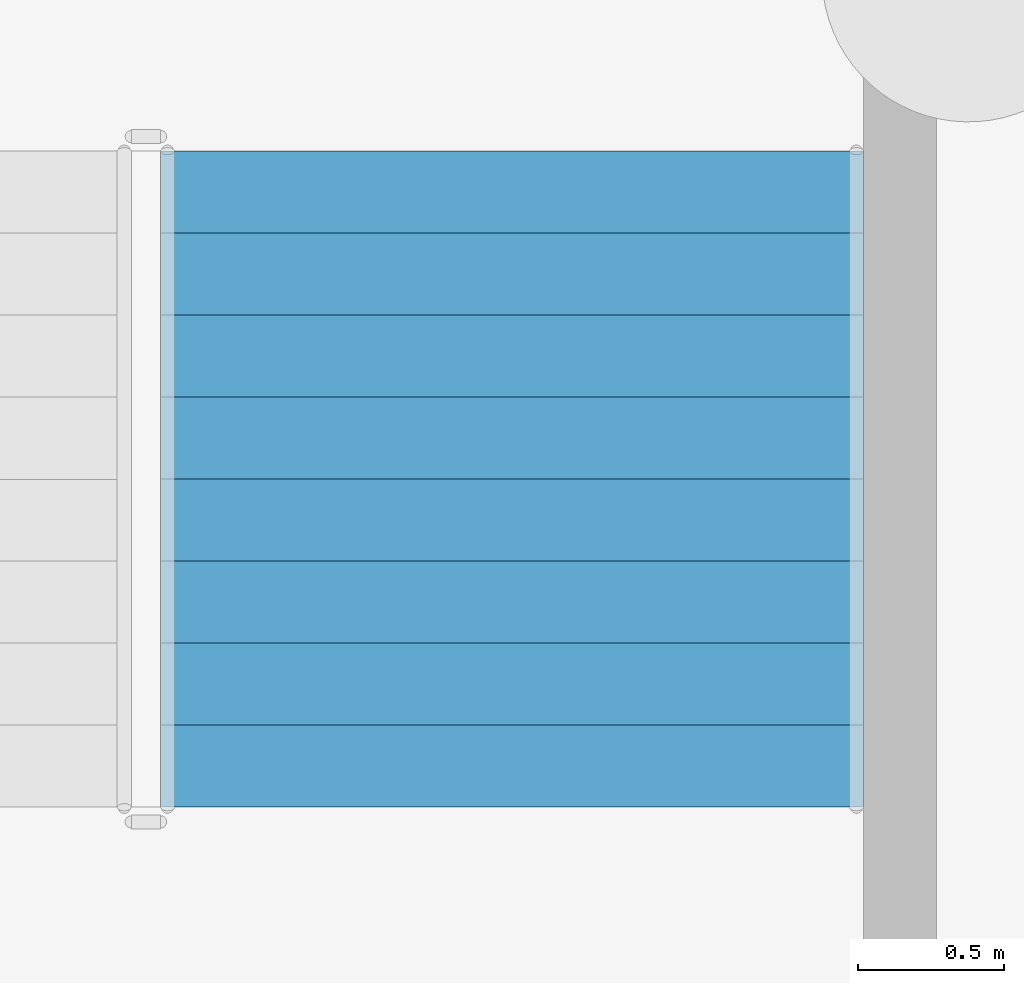
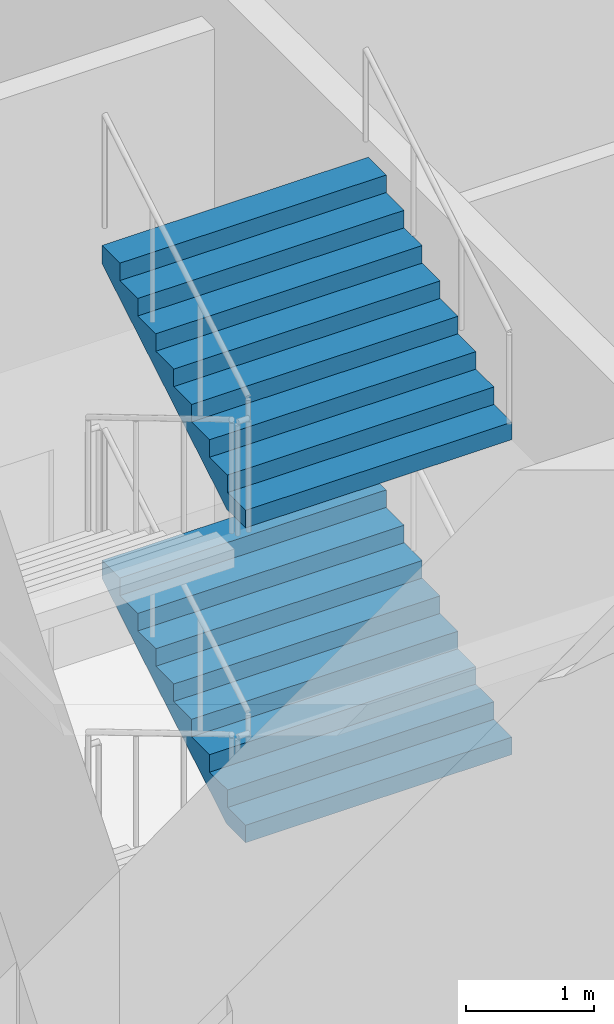
# One storey, part 14 of 39: 2 stair flights, 1 element without a shape of its own.
"""IFC4 building model written with IfcOpenShell, lengths in metres."""

from ifc_helpers import new_model, si_unit, direction, frame, origin, place, context, subcontext, project, spatial, triangles, material, type_object, element, aggregate, save


model = new_model("IFC4")

# Units and contexts
model_context = context("Model", 3, precision=1e-05, world=origin(), true_north=direction((0.0, 1.0)))
body_context = subcontext(model_context, "Body", "Model", "MODEL_VIEW")
ifc_project = project(units=[si_unit("LENGTHUNIT", "METRE"), si_unit("AREAUNIT", "SQUARE_METRE"), si_unit("VOLUMEUNIT", "CUBIC_METRE"), si_unit("PLANEANGLEUNIT", "RADIAN"), si_unit("MASSUNIT", "GRAM", prefix="KILO")], contexts=[model_context])

# Site, building, storey
site_placement = place(None, origin())
site = spatial("IfcSite", under=ifc_project, at=site_placement, CompositionType="ELEMENT")
building_placement = place(site_placement, origin())
building = spatial("IfcBuilding", under=site, at=building_placement, Name="Magnolia Steps Interchange", CompositionType="ELEMENT")
storey_placement = place(building_placement, frame((0.0, 0.0, -11.39990234375)))
storey = spatial("IfcBuildingStorey", under=building, at=storey_placement, Name="B2", CompositionType="ELEMENT", Elevation=-11.39990234375)

# Stair, stair flights
ifc_material_1 = material(Name="Concrete C40", Category="concrete")
stair_type = type_object("IfcStairType", Name="Exit stair 2400", PredefinedType="HALF_TURN_STAIR", material=ifc_material_1)
stair_placement = place(storey_placement, origin())
stair = element("IfcStair", 1, at=stair_placement, inside=storey, type_object=stair_type, Name="B2 Stair 15", PredefinedType="HALF_TURN_STAIR")
ifc_material_2 = material(Name="Concrete C40", Category="concrete")
stair_flight_type = type_object("IfcStairFlightType", Name="Exit stair flight", PredefinedType="STRAIGHT", material=ifc_material_2)
stair_flight_1_placement = place(storey_placement, frame((24.875, 55.885009765625, 1.5), z_axis=(0.0, 0.0, 1.0), x_axis=(0.0, 1.0, 0.0)))
stair_flight_1 = element("IfcStairFlight", 2, at=stair_flight_1_placement, type_object=stair_flight_type, Name="Stair 15 flight 2", NumberOfRisers=9, NumberOfTreads=8, PredefinedType="STRAIGHT", RiserHeight=0.166666667, TreadLength=0.28, context=body_context, shape_type="Tessellation", body=[
    triangles([(0.0, -1.199951171875, 0.0), (0.29296875, -1.199951171875, 0.0), (2.239990234375, -1.199951171875, 1.158935546875), (2.239990234375, -1.199951171875, 1.333251953125), (1.9599609375, -1.199951171875, 1.333251953125), (1.9599609375, -1.199951171875, 1.166748046875), (1.679931640625, -1.199951171875, 1.166748046875), (1.679931640625, -1.199951171875, 1.0), (1.39990234375, -1.199951171875, 1.0), (1.39990234375, -1.199951171875, 0.833251953125), (1.1201171875, -1.199951171875, 0.833251953125), (1.1201171875, -1.199951171875, 0.666748046875), (0.840087890625, -1.199951171875, 0.666748046875), (0.840087890625, -1.199951171875, 0.5), (0.56005859375, -1.199951171875, 0.5), (0.56005859375, -1.199951171875, 0.333251953125), (0.280029296875, -1.199951171875, 0.333251953125), (0.280029296875, -1.199951171875, 0.166748046875), (0.0, -1.199951171875, 0.166748046875), (0.0, 1.199951171875, 0.0), (0.29296875, 1.199951171875, 0.0), (2.239990234375, 1.199951171875, 1.158935546875), (2.239990234375, 1.199951171875, 1.333251953125), (1.9599609375, 1.199951171875, 1.333251953125), (1.9599609375, 1.199951171875, 1.166748046875), (1.679931640625, 1.199951171875, 1.166748046875), (1.679931640625, 1.199951171875, 1.0), (1.39990234375, 1.199951171875, 1.0), (1.39990234375, 1.199951171875, 0.833251953125), (1.1201171875, 1.199951171875, 0.833251953125), (1.1201171875, 1.199951171875, 0.666748046875), (0.840087890625, 1.199951171875, 0.666748046875), (0.840087890625, 1.199951171875, 0.5), (0.56005859375, 1.199951171875, 0.5), (0.56005859375, 1.199951171875, 0.333251953125), (0.280029296875, 1.199951171875, 0.333251953125), (0.280029296875, 1.199951171875, 0.166748046875), (0.0, 1.199951171875, 0.166748046875), (0.0, 0.0, 0.0), (0.0, 0.0, 0.04168701171875), (0.0, 0.0, 0.0833740234375), (0.0, 0.0, 0.12506103515625), (0.0, 0.0, 0.166748046875), (0.0, -0.05, 0.0), (0.0, -0.05, 0.166748046875), (0.0, 0.05, 0.0), (0.0, 0.05, 0.166748046875), (0.046671549479166664, 0.0, 0.166748046875), (0.09334309895833333, 0.0, 0.166748046875), (0.1400146484375, 0.0, 0.166748046875), (0.18668619791666666, 0.0, 0.166748046875), (0.23335774739583334, 0.0, 0.166748046875), (0.280029296875, 0.0, 0.166748046875), (0.280029296875, -0.05, 0.166748046875), (0.280029296875, 0.05, 0.166748046875), (0.280029296875, 0.0, 0.2083740234375), (0.280029296875, 0.0, 0.25), (0.280029296875, 0.0, 0.2916259765625), (0.280029296875, 0.0, 0.333251953125), (0.280029296875, -0.05, 0.333251953125), (0.280029296875, 0.05, 0.333251953125), (0.3267008463541667, 0.0, 0.333251953125), (0.3733723958333333, 0.0, 0.333251953125), (0.4200439453125, 0.0, 0.333251953125), (0.46671549479166663, 0.0, 0.333251953125), (0.5133870442708334, 0.0, 0.333251953125), (0.56005859375, 0.0, 0.333251953125), (0.56005859375, -0.05, 0.333251953125), (0.56005859375, 0.05, 0.333251953125), (0.56005859375, 0.0, 0.37493896484375), (0.56005859375, 0.0, 0.4166259765625), (0.56005859375, 0.0, 0.45831298828125), (0.56005859375, 0.0, 0.5), (0.56005859375, -0.05, 0.5), (0.56005859375, 0.05, 0.5), (0.6067301432291666, 0.0, 0.5), (0.6534016927083334, 0.0, 0.5), (0.7000732421875, 0.0, 0.5), (0.7467447916666666, 0.0, 0.5), (0.7934163411458334, 0.0, 0.5), (0.840087890625, 0.0, 0.5), (0.840087890625, -0.05, 0.5), (0.840087890625, 0.05, 0.5), (0.840087890625, 0.0, 0.54168701171875), (0.840087890625, 0.0, 0.5833740234375), (0.840087890625, 0.0, 0.62506103515625), (0.840087890625, 0.0, 0.666748046875), (0.840087890625, -0.05, 0.666748046875), (0.840087890625, 0.05, 0.666748046875), (0.8867594401041666, 0.0, 0.666748046875), (0.9334309895833334, 0.0, 0.666748046875), (0.9801025390625, 0.0, 0.666748046875), (1.0267740885416667, 0.0, 0.666748046875), (1.0734456380208333, 0.0, 0.666748046875), (1.1201171875, 0.0, 0.666748046875), (1.1201171875, -0.05, 0.666748046875), (1.1201171875, 0.05, 0.666748046875), (1.1201171875, 0.0, 0.7083740234375), (1.1201171875, 0.0, 0.75), (1.1201171875, 0.0, 0.7916259765625), (1.1201171875, 0.0, 0.833251953125), (1.1201171875, -0.05, 0.833251953125), (1.1201171875, 0.05, 0.833251953125), (1.1900634765625, 0.0, 0.833251953125), (1.260009765625, 0.0, 0.833251953125), (1.3299560546875, 0.0, 0.833251953125), (1.39990234375, 0.0, 0.833251953125), (1.39990234375, -0.05, 0.833251953125), (1.39990234375, 0.05, 0.833251953125), (1.39990234375, 0.0, 0.87493896484375), (1.39990234375, 0.0, 0.9166259765625), (1.39990234375, 0.0, 0.95831298828125), (1.39990234375, 0.0, 1.0), (1.39990234375, -0.05, 1.0), (1.39990234375, 0.05, 1.0), (1.4465738932291667, 0.0, 1.0), (1.4932454427083333, 0.0, 1.0), (1.5399169921875, 0.0, 1.0), (1.5865885416666667, 0.0, 1.0), (1.6332600911458333, 0.0, 1.0), (1.679931640625, 0.0, 1.0), (1.679931640625, -0.05, 1.0), (1.679931640625, 0.05, 1.0), (1.679931640625, 0.0, 1.04168701171875), (1.679931640625, 0.0, 1.0833740234375), (1.679931640625, 0.0, 1.12506103515625), (1.679931640625, 0.0, 1.166748046875), (1.679931640625, -0.05, 1.166748046875), (1.679931640625, 0.05, 1.166748046875), (1.7266031901041667, 0.0, 1.166748046875), (1.7732747395833333, 0.0, 1.166748046875), (1.8199462890625, 0.0, 1.166748046875), (1.8666178385416667, 0.0, 1.166748046875), (1.9132893880208333, 0.0, 1.166748046875), (1.9599609375, 0.0, 1.166748046875), (1.9599609375, -0.05, 1.166748046875), (1.9599609375, 0.05, 1.166748046875), (1.9599609375, 0.0, 1.2083740234375), (1.9599609375, 0.0, 1.25), (1.9599609375, 0.0, 1.2916259765625), (1.9599609375, 0.0, 1.333251953125), (1.9599609375, -0.05, 1.333251953125), (1.9599609375, 0.05, 1.333251953125), (2.0066324869791665, 0.0, 1.333251953125), (2.0533040364583335, 0.0, 1.333251953125), (2.0999755859375, 0.0, 1.333251953125), (2.1466471354166665, 0.0, 1.333251953125), (2.1933186848958335, 0.0, 1.333251953125), (2.239990234375, 0.0, 1.333251953125), (2.239990234375, -0.05, 1.333251953125), (2.239990234375, 0.05, 1.333251953125), (2.239990234375, 0.0, 1.2896728515625), (2.239990234375, 0.0, 1.24609375), (2.239990234375, 0.0, 1.2025146484375), (2.239990234375, 0.0, 1.158935546875), (2.239990234375, -0.05, 1.158935546875), (2.239990234375, 0.05, 1.158935546875), (2.1827248965992645, 0.0, 1.1248492072610294), (2.1254595588235294, 0.0, 1.0907628676470589), (2.068194221047794, 0.0, 1.0566765280330883), (2.010928883272059, 0.0, 1.0225901884191178), (1.9536635454963236, 0.0, 0.9885038488051471), (1.8963982077205883, 0.0, 0.9544175091911764), (1.8391328699448528, 0.0, 0.9203311695772058), (1.7818675321691178, 0.0, 0.8862448299632353), (1.7246021943933822, 0.0, 0.8521584903492647), (1.6673368566176472, 0.0, 0.8180721507352942), (1.6100715188419117, 0.0, 0.7839858111213236), (1.5528061810661766, 0.0, 0.7498994715073529), (1.4955408432904411, 0.0, 0.7158131318933824), (1.4382755055147058, 0.0, 0.6817267922794117), (1.3810101677389706, 0.0, 0.6476404526654411), (1.3237448299632353, 0.0, 0.6135541130514706), (1.2664794921875, 0.0, 0.5794677734375), (1.2092141544117647, 0.0, 0.5453814338235294), (1.1519488166360294, 0.0, 0.5112950942095589), (1.0946834788602942, 0.0, 0.4772087545955882), (1.0374181410845589, 0.0, 0.44312241498161764), (0.9801528033088236, 0.0, 0.4090360753676471), (0.9228874655330883, 0.0, 0.3749497357536765), (0.865622127757353, 0.0, 0.34086339613970584), (0.8083567899816178, 0.0, 0.3067770565257353), (0.7510914522058822, 0.0, 0.2726907169117647), (0.693826114430147, 0.0, 0.23860437729779416), (0.6365607766544117, 0.0, 0.20451803768382348), (0.5792954388786764, 0.0, 0.17043169806985292), (0.5220301011029411, 0.0, 0.13634535845588225), (0.46476476332720584, 0.0, 0.10225901884191169), (0.40749942555147056, 0.0, 0.06817267922794112), (0.3502340877757353, 0.0, 0.03408633961397056), (0.29296875, 0.0, 0.0), (0.29296875, -0.05, 0.0), (0.29296875, 0.05, 0.0), (0.244140625, 0.0, 0.0), (0.1953125, 0.0, 0.0), (0.146484375, 0.0, 0.0), (0.09765625, 0.0, 0.0), (0.048828125, 0.0, 0.0)], [[1, 2, 3], [3, 4, 5], [3, 5, 6], [3, 6, 7], [3, 7, 8], [8, 9, 10], [3, 8, 10], [10, 11, 12], [3, 10, 12], [12, 13, 14], [3, 12, 14], [14, 15, 16], [3, 14, 16], [1, 3, 16], [16, 17, 18], [1, 16, 18], [18, 19, 1], [20, 22, 21], [22, 24, 23], [22, 25, 24], [22, 26, 25], [22, 27, 26], [27, 29, 28], [22, 29, 27], [29, 31, 30], [22, 31, 29], [31, 33, 32], [22, 33, 31], [33, 35, 34], [22, 35, 33], [20, 35, 22], [35, 37, 36], [20, 37, 35], [37, 20, 38], [1, 19, 45], [1, 45, 44], [44, 40, 39], [44, 41, 40], [44, 45, 41], [45, 42, 41], [45, 43, 42], [20, 47, 38], [20, 46, 47], [46, 39, 40], [46, 40, 41], [46, 41, 47], [47, 41, 42], [47, 42, 43], [19, 18, 54], [19, 54, 45], [45, 48, 43], [45, 49, 48], [45, 50, 49], [45, 54, 50], [54, 51, 50], [54, 52, 51], [54, 53, 52], [38, 55, 37], [38, 47, 55], [47, 43, 48], [47, 48, 49], [47, 49, 50], [47, 50, 55], [55, 50, 51], [55, 51, 52], [55, 52, 53], [18, 17, 60], [18, 60, 54], [54, 56, 53], [54, 57, 56], [54, 60, 57], [60, 58, 57], [60, 59, 58], [37, 61, 36], [37, 55, 61], [55, 53, 56], [55, 56, 57], [55, 57, 61], [61, 57, 58], [61, 58, 59], [17, 16, 68], [17, 68, 60], [60, 62, 59], [60, 63, 62], [60, 64, 63], [60, 68, 64], [68, 65, 64], [68, 66, 65], [68, 67, 66], [36, 69, 35], [36, 61, 69], [61, 59, 62], [61, 62, 63], [61, 63, 64], [61, 64, 69], [69, 64, 65], [69, 65, 66], [69, 66, 67], [16, 15, 74], [16, 74, 68], [68, 70, 67], [68, 71, 70], [68, 74, 71], [74, 72, 71], [74, 73, 72], [35, 75, 34], [35, 69, 75], [69, 67, 70], [69, 70, 71], [69, 71, 75], [75, 71, 72], [75, 72, 73], [15, 14, 82], [15, 82, 74], [74, 76, 73], [74, 77, 76], [74, 78, 77], [74, 82, 78], [82, 79, 78], [82, 80, 79], [82, 81, 80], [34, 83, 33], [34, 75, 83], [75, 73, 76], [75, 76, 77], [75, 77, 78], [75, 78, 83], [83, 78, 79], [83, 79, 80], [83, 80, 81], [14, 13, 88], [14, 88, 82], [82, 84, 81], [82, 85, 84], [82, 88, 85], [88, 86, 85], [88, 87, 86], [33, 89, 32], [33, 83, 89], [83, 81, 84], [83, 84, 85], [83, 85, 89], [89, 85, 86], [89, 86, 87], [13, 12, 96], [13, 96, 88], [88, 90, 87], [88, 91, 90], [88, 92, 91], [88, 96, 92], [96, 93, 92], [96, 94, 93], [96, 95, 94], [32, 97, 31], [32, 89, 97], [89, 87, 90], [89, 90, 91], [89, 91, 92], [89, 92, 97], [97, 92, 93], [97, 93, 94], [97, 94, 95], [12, 11, 102], [12, 102, 96], [96, 98, 95], [96, 99, 98], [96, 102, 99], [102, 100, 99], [102, 101, 100], [31, 103, 30], [31, 97, 103], [97, 95, 98], [97, 98, 99], [97, 99, 103], [103, 99, 100], [103, 100, 101], [11, 10, 108], [11, 108, 102], [102, 104, 101], [102, 105, 104], [102, 108, 105], [108, 106, 105], [108, 107, 106], [30, 109, 29], [30, 103, 109], [103, 101, 104], [103, 104, 105], [103, 105, 109], [109, 105, 106], [109, 106, 107], [10, 9, 114], [10, 114, 108], [108, 110, 107], [108, 111, 110], [108, 114, 111], [114, 112, 111], [114, 113, 112], [29, 115, 28], [29, 109, 115], [109, 107, 110], [109, 110, 111], [109, 111, 115], [115, 111, 112], [115, 112, 113], [9, 8, 122], [9, 122, 114], [114, 116, 113], [114, 117, 116], [114, 118, 117], [114, 122, 118], [122, 119, 118], [122, 120, 119], [122, 121, 120], [28, 123, 27], [28, 115, 123], [115, 113, 116], [115, 116, 117], [115, 117, 118], [115, 118, 123], [123, 118, 119], [123, 119, 120], [123, 120, 121], [8, 7, 128], [8, 128, 122], [122, 124, 121], [122, 125, 124], [122, 128, 125], [128, 126, 125], [128, 127, 126], [27, 129, 26], [27, 123, 129], [123, 121, 124], [123, 124, 125], [123, 125, 129], [129, 125, 126], [129, 126, 127], [7, 6, 136], [7, 136, 128], [128, 130, 127], [128, 131, 130], [128, 132, 131], [128, 136, 132], [136, 133, 132], [136, 134, 133], [136, 135, 134], [26, 137, 25], [26, 129, 137], [129, 127, 130], [129, 130, 131], [129, 131, 132], [129, 132, 137], [137, 132, 133], [137, 133, 134], [137, 134, 135], [6, 5, 142], [6, 142, 136], [136, 138, 135], [136, 139, 138], [136, 142, 139], [142, 140, 139], [142, 141, 140], [25, 143, 24], [25, 137, 143], [137, 135, 138], [137, 138, 139], [137, 139, 143], [143, 139, 140], [143, 140, 141], [5, 4, 150], [5, 150, 142], [142, 144, 141], [142, 145, 144], [142, 146, 145], [142, 150, 146], [150, 147, 146], [150, 148, 147], [150, 149, 148], [24, 151, 23], [24, 143, 151], [143, 141, 144], [143, 144, 145], [143, 145, 146], [143, 146, 151], [151, 146, 147], [151, 147, 148], [151, 148, 149], [4, 3, 156], [4, 156, 150], [150, 152, 149], [150, 153, 152], [150, 156, 153], [156, 154, 153], [156, 155, 154], [23, 157, 22], [23, 151, 157], [151, 149, 152], [151, 152, 153], [151, 153, 157], [157, 153, 154], [157, 154, 155], [3, 2, 192], [3, 192, 156], [156, 158, 155], [156, 159, 158], [156, 160, 159], [156, 161, 160], [156, 162, 161], [156, 163, 162], [156, 164, 163], [156, 165, 164], [156, 166, 165], [156, 167, 166], [156, 168, 167], [156, 169, 168], [156, 170, 169], [156, 171, 170], [156, 172, 171], [156, 173, 172], [156, 174, 173], [156, 192, 174], [192, 175, 174], [192, 176, 175], [192, 177, 176], [192, 178, 177], [192, 179, 178], [192, 180, 179], [192, 181, 180], [192, 182, 181], [192, 183, 182], [192, 184, 183], [192, 185, 184], [192, 186, 185], [192, 187, 186], [192, 188, 187], [192, 189, 188], [192, 190, 189], [192, 191, 190], [22, 193, 21], [22, 157, 193], [157, 155, 158], [157, 158, 159], [157, 159, 160], [157, 160, 161], [157, 161, 162], [157, 162, 163], [157, 163, 164], [157, 164, 165], [157, 165, 166], [157, 166, 167], [157, 167, 168], [157, 168, 169], [157, 169, 170], [157, 170, 171], [157, 171, 172], [157, 172, 173], [157, 173, 174], [157, 174, 193], [193, 174, 175], [193, 175, 176], [193, 176, 177], [193, 177, 178], [193, 178, 179], [193, 179, 180], [193, 180, 181], [193, 181, 182], [193, 182, 183], [193, 183, 184], [193, 184, 185], [193, 185, 186], [193, 186, 187], [193, 187, 188], [193, 188, 189], [193, 189, 190], [193, 190, 191], [2, 1, 44], [2, 44, 192], [192, 194, 191], [192, 195, 194], [192, 196, 195], [192, 44, 196], [44, 197, 196], [44, 198, 197], [44, 39, 198], [21, 46, 20], [21, 193, 46], [193, 191, 194], [193, 194, 195], [193, 195, 196], [193, 196, 46], [46, 196, 197], [46, 197, 198], [46, 198, 39]], closed=True),
])
stair_flight_2_placement = place(storey_placement, frame((24.875, 55.885009765625, 4.5), z_axis=(0.0, 0.0, 1.0), x_axis=(0.0, 1.0, 0.0)))
stair_flight_2 = element("IfcStairFlight", 3, at=stair_flight_2_placement, type_object=stair_flight_type, Name="Stair 15 flight 4", NumberOfRisers=9, NumberOfTreads=8, PredefinedType="STRAIGHT", RiserHeight=0.166666667, TreadLength=0.28, context=body_context, shape_type="Tessellation", body=[
    triangles([(0.0, -1.199951171875, 0.0), (0.29296875, -1.199951171875, 0.0), (2.239990234375, -1.199951171875, 1.158935546875), (2.239990234375, -1.199951171875, 1.333251953125), (1.9599609375, -1.199951171875, 1.333251953125), (1.9599609375, -1.199951171875, 1.166748046875), (1.679931640625, -1.199951171875, 1.166748046875), (1.679931640625, -1.199951171875, 1.0), (1.39990234375, -1.199951171875, 1.0), (1.39990234375, -1.199951171875, 0.833251953125), (1.1201171875, -1.199951171875, 0.833251953125), (1.1201171875, -1.199951171875, 0.666748046875), (0.840087890625, -1.199951171875, 0.666748046875), (0.840087890625, -1.199951171875, 0.5), (0.56005859375, -1.199951171875, 0.5), (0.56005859375, -1.199951171875, 0.333251953125), (0.280029296875, -1.199951171875, 0.333251953125), (0.280029296875, -1.199951171875, 0.166748046875), (0.0, -1.199951171875, 0.166748046875), (0.0, 1.199951171875, 0.0), (0.29296875, 1.199951171875, 0.0), (2.239990234375, 1.199951171875, 1.158935546875), (2.239990234375, 1.199951171875, 1.333251953125), (1.9599609375, 1.199951171875, 1.333251953125), (1.9599609375, 1.199951171875, 1.166748046875), (1.679931640625, 1.199951171875, 1.166748046875), (1.679931640625, 1.199951171875, 1.0), (1.39990234375, 1.199951171875, 1.0), (1.39990234375, 1.199951171875, 0.833251953125), (1.1201171875, 1.199951171875, 0.833251953125), (1.1201171875, 1.199951171875, 0.666748046875), (0.840087890625, 1.199951171875, 0.666748046875), (0.840087890625, 1.199951171875, 0.5), (0.56005859375, 1.199951171875, 0.5), (0.56005859375, 1.199951171875, 0.333251953125), (0.280029296875, 1.199951171875, 0.333251953125), (0.280029296875, 1.199951171875, 0.166748046875), (0.0, 1.199951171875, 0.166748046875), (0.0, 0.0, 0.0), (0.0, 0.0, 0.04168701171875), (0.0, 0.0, 0.0833740234375), (0.0, 0.0, 0.12506103515625), (0.0, 0.0, 0.166748046875), (0.0, -0.05, 0.0), (0.0, -0.05, 0.166748046875), (0.0, 0.05, 0.0), (0.0, 0.05, 0.166748046875), (0.046671549479166664, 0.0, 0.166748046875), (0.09334309895833333, 0.0, 0.166748046875), (0.1400146484375, 0.0, 0.166748046875), (0.18668619791666666, 0.0, 0.166748046875), (0.23335774739583334, 0.0, 0.166748046875), (0.280029296875, 0.0, 0.166748046875), (0.280029296875, -0.05, 0.166748046875), (0.280029296875, 0.05, 0.166748046875), (0.280029296875, 0.0, 0.2083740234375), (0.280029296875, 0.0, 0.25), (0.280029296875, 0.0, 0.2916259765625), (0.280029296875, 0.0, 0.333251953125), (0.280029296875, -0.05, 0.333251953125), (0.280029296875, 0.05, 0.333251953125), (0.3267008463541667, 0.0, 0.333251953125), (0.3733723958333333, 0.0, 0.333251953125), (0.4200439453125, 0.0, 0.333251953125), (0.46671549479166663, 0.0, 0.333251953125), (0.5133870442708334, 0.0, 0.333251953125), (0.56005859375, 0.0, 0.333251953125), (0.56005859375, -0.05, 0.333251953125), (0.56005859375, 0.05, 0.333251953125), (0.56005859375, 0.0, 0.37493896484375), (0.56005859375, 0.0, 0.4166259765625), (0.56005859375, 0.0, 0.45831298828125), (0.56005859375, 0.0, 0.5), (0.56005859375, -0.05, 0.5), (0.56005859375, 0.05, 0.5), (0.6067301432291666, 0.0, 0.5), (0.6534016927083334, 0.0, 0.5), (0.7000732421875, 0.0, 0.5), (0.7467447916666666, 0.0, 0.5), (0.7934163411458334, 0.0, 0.5), (0.840087890625, 0.0, 0.5), (0.840087890625, -0.05, 0.5), (0.840087890625, 0.05, 0.5), (0.840087890625, 0.0, 0.54168701171875), (0.840087890625, 0.0, 0.5833740234375), (0.840087890625, 0.0, 0.62506103515625), (0.840087890625, 0.0, 0.666748046875), (0.840087890625, -0.05, 0.666748046875), (0.840087890625, 0.05, 0.666748046875), (0.8867594401041666, 0.0, 0.666748046875), (0.9334309895833334, 0.0, 0.666748046875), (0.9801025390625, 0.0, 0.666748046875), (1.0267740885416667, 0.0, 0.666748046875), (1.0734456380208333, 0.0, 0.666748046875), (1.1201171875, 0.0, 0.666748046875), (1.1201171875, -0.05, 0.666748046875), (1.1201171875, 0.05, 0.666748046875), (1.1201171875, 0.0, 0.7083740234375), (1.1201171875, 0.0, 0.75), (1.1201171875, 0.0, 0.7916259765625), (1.1201171875, 0.0, 0.833251953125), (1.1201171875, -0.05, 0.833251953125), (1.1201171875, 0.05, 0.833251953125), (1.1900634765625, 0.0, 0.833251953125), (1.260009765625, 0.0, 0.833251953125), (1.3299560546875, 0.0, 0.833251953125), (1.39990234375, 0.0, 0.833251953125), (1.39990234375, -0.05, 0.833251953125), (1.39990234375, 0.05, 0.833251953125), (1.39990234375, 0.0, 0.87493896484375), (1.39990234375, 0.0, 0.9166259765625), (1.39990234375, 0.0, 0.95831298828125), (1.39990234375, 0.0, 1.0), (1.39990234375, -0.05, 1.0), (1.39990234375, 0.05, 1.0), (1.4465738932291667, 0.0, 1.0), (1.4932454427083333, 0.0, 1.0), (1.5399169921875, 0.0, 1.0), (1.5865885416666667, 0.0, 1.0), (1.6332600911458333, 0.0, 1.0), (1.679931640625, 0.0, 1.0), (1.679931640625, -0.05, 1.0), (1.679931640625, 0.05, 1.0), (1.679931640625, 0.0, 1.04168701171875), (1.679931640625, 0.0, 1.0833740234375), (1.679931640625, 0.0, 1.12506103515625), (1.679931640625, 0.0, 1.166748046875), (1.679931640625, -0.05, 1.166748046875), (1.679931640625, 0.05, 1.166748046875), (1.7266031901041667, 0.0, 1.166748046875), (1.7732747395833333, 0.0, 1.166748046875), (1.8199462890625, 0.0, 1.166748046875), (1.8666178385416667, 0.0, 1.166748046875), (1.9132893880208333, 0.0, 1.166748046875), (1.9599609375, 0.0, 1.166748046875), (1.9599609375, -0.05, 1.166748046875), (1.9599609375, 0.05, 1.166748046875), (1.9599609375, 0.0, 1.2083740234375), (1.9599609375, 0.0, 1.25), (1.9599609375, 0.0, 1.2916259765625), (1.9599609375, 0.0, 1.333251953125), (1.9599609375, -0.05, 1.333251953125), (1.9599609375, 0.05, 1.333251953125), (2.0066324869791665, 0.0, 1.333251953125), (2.0533040364583335, 0.0, 1.333251953125), (2.0999755859375, 0.0, 1.333251953125), (2.1466471354166665, 0.0, 1.333251953125), (2.1933186848958335, 0.0, 1.333251953125), (2.239990234375, 0.0, 1.333251953125), (2.239990234375, -0.05, 1.333251953125), (2.239990234375, 0.05, 1.333251953125), (2.239990234375, 0.0, 1.2896728515625), (2.239990234375, 0.0, 1.24609375), (2.239990234375, 0.0, 1.2025146484375), (2.239990234375, 0.0, 1.158935546875), (2.239990234375, -0.05, 1.158935546875), (2.239990234375, 0.05, 1.158935546875), (2.1827248965992645, 0.0, 1.1248492072610294), (2.1254595588235294, 0.0, 1.0907628676470589), (2.068194221047794, 0.0, 1.0566765280330883), (2.010928883272059, 0.0, 1.0225901884191178), (1.9536635454963236, 0.0, 0.9885038488051471), (1.8963982077205883, 0.0, 0.9544175091911764), (1.8391328699448528, 0.0, 0.9203311695772058), (1.7818675321691178, 0.0, 0.8862448299632353), (1.7246021943933822, 0.0, 0.8521584903492647), (1.6673368566176472, 0.0, 0.8180721507352942), (1.6100715188419117, 0.0, 0.7839858111213236), (1.5528061810661766, 0.0, 0.7498994715073529), (1.4955408432904411, 0.0, 0.7158131318933824), (1.4382755055147058, 0.0, 0.6817267922794117), (1.3810101677389706, 0.0, 0.6476404526654411), (1.3237448299632353, 0.0, 0.6135541130514706), (1.2664794921875, 0.0, 0.5794677734375), (1.2092141544117647, 0.0, 0.5453814338235294), (1.1519488166360294, 0.0, 0.5112950942095589), (1.0946834788602942, 0.0, 0.4772087545955882), (1.0374181410845589, 0.0, 0.44312241498161764), (0.9801528033088236, 0.0, 0.4090360753676471), (0.9228874655330883, 0.0, 0.3749497357536765), (0.865622127757353, 0.0, 0.34086339613970584), (0.8083567899816178, 0.0, 0.3067770565257353), (0.7510914522058822, 0.0, 0.2726907169117647), (0.693826114430147, 0.0, 0.23860437729779416), (0.6365607766544117, 0.0, 0.20451803768382348), (0.5792954388786764, 0.0, 0.17043169806985292), (0.5220301011029411, 0.0, 0.13634535845588225), (0.46476476332720584, 0.0, 0.10225901884191169), (0.40749942555147056, 0.0, 0.06817267922794112), (0.3502340877757353, 0.0, 0.03408633961397056), (0.29296875, 0.0, 0.0), (0.29296875, -0.05, 0.0), (0.29296875, 0.05, 0.0), (0.244140625, 0.0, 0.0), (0.1953125, 0.0, 0.0), (0.146484375, 0.0, 0.0), (0.09765625, 0.0, 0.0), (0.048828125, 0.0, 0.0)], [[1, 2, 3], [3, 4, 5], [3, 5, 6], [3, 6, 7], [3, 7, 8], [8, 9, 10], [3, 8, 10], [10, 11, 12], [3, 10, 12], [12, 13, 14], [3, 12, 14], [14, 15, 16], [3, 14, 16], [1, 3, 16], [16, 17, 18], [1, 16, 18], [18, 19, 1], [20, 22, 21], [22, 24, 23], [22, 25, 24], [22, 26, 25], [22, 27, 26], [27, 29, 28], [22, 29, 27], [29, 31, 30], [22, 31, 29], [31, 33, 32], [22, 33, 31], [33, 35, 34], [22, 35, 33], [20, 35, 22], [35, 37, 36], [20, 37, 35], [37, 20, 38], [1, 19, 45], [1, 45, 44], [44, 40, 39], [44, 41, 40], [44, 45, 41], [45, 42, 41], [45, 43, 42], [20, 47, 38], [20, 46, 47], [46, 39, 40], [46, 40, 41], [46, 41, 47], [47, 41, 42], [47, 42, 43], [19, 18, 54], [19, 54, 45], [45, 48, 43], [45, 49, 48], [45, 50, 49], [45, 54, 50], [54, 51, 50], [54, 52, 51], [54, 53, 52], [38, 55, 37], [38, 47, 55], [47, 43, 48], [47, 48, 49], [47, 49, 50], [47, 50, 55], [55, 50, 51], [55, 51, 52], [55, 52, 53], [18, 17, 60], [18, 60, 54], [54, 56, 53], [54, 57, 56], [54, 60, 57], [60, 58, 57], [60, 59, 58], [37, 61, 36], [37, 55, 61], [55, 53, 56], [55, 56, 57], [55, 57, 61], [61, 57, 58], [61, 58, 59], [17, 16, 68], [17, 68, 60], [60, 62, 59], [60, 63, 62], [60, 64, 63], [60, 68, 64], [68, 65, 64], [68, 66, 65], [68, 67, 66], [36, 69, 35], [36, 61, 69], [61, 59, 62], [61, 62, 63], [61, 63, 64], [61, 64, 69], [69, 64, 65], [69, 65, 66], [69, 66, 67], [16, 15, 74], [16, 74, 68], [68, 70, 67], [68, 71, 70], [68, 74, 71], [74, 72, 71], [74, 73, 72], [35, 75, 34], [35, 69, 75], [69, 67, 70], [69, 70, 71], [69, 71, 75], [75, 71, 72], [75, 72, 73], [15, 14, 82], [15, 82, 74], [74, 76, 73], [74, 77, 76], [74, 78, 77], [74, 82, 78], [82, 79, 78], [82, 80, 79], [82, 81, 80], [34, 83, 33], [34, 75, 83], [75, 73, 76], [75, 76, 77], [75, 77, 78], [75, 78, 83], [83, 78, 79], [83, 79, 80], [83, 80, 81], [14, 13, 88], [14, 88, 82], [82, 84, 81], [82, 85, 84], [82, 88, 85], [88, 86, 85], [88, 87, 86], [33, 89, 32], [33, 83, 89], [83, 81, 84], [83, 84, 85], [83, 85, 89], [89, 85, 86], [89, 86, 87], [13, 12, 96], [13, 96, 88], [88, 90, 87], [88, 91, 90], [88, 92, 91], [88, 96, 92], [96, 93, 92], [96, 94, 93], [96, 95, 94], [32, 97, 31], [32, 89, 97], [89, 87, 90], [89, 90, 91], [89, 91, 92], [89, 92, 97], [97, 92, 93], [97, 93, 94], [97, 94, 95], [12, 11, 102], [12, 102, 96], [96, 98, 95], [96, 99, 98], [96, 102, 99], [102, 100, 99], [102, 101, 100], [31, 103, 30], [31, 97, 103], [97, 95, 98], [97, 98, 99], [97, 99, 103], [103, 99, 100], [103, 100, 101], [11, 10, 108], [11, 108, 102], [102, 104, 101], [102, 105, 104], [102, 108, 105], [108, 106, 105], [108, 107, 106], [30, 109, 29], [30, 103, 109], [103, 101, 104], [103, 104, 105], [103, 105, 109], [109, 105, 106], [109, 106, 107], [10, 9, 114], [10, 114, 108], [108, 110, 107], [108, 111, 110], [108, 114, 111], [114, 112, 111], [114, 113, 112], [29, 115, 28], [29, 109, 115], [109, 107, 110], [109, 110, 111], [109, 111, 115], [115, 111, 112], [115, 112, 113], [9, 8, 122], [9, 122, 114], [114, 116, 113], [114, 117, 116], [114, 118, 117], [114, 122, 118], [122, 119, 118], [122, 120, 119], [122, 121, 120], [28, 123, 27], [28, 115, 123], [115, 113, 116], [115, 116, 117], [115, 117, 118], [115, 118, 123], [123, 118, 119], [123, 119, 120], [123, 120, 121], [8, 7, 128], [8, 128, 122], [122, 124, 121], [122, 125, 124], [122, 128, 125], [128, 126, 125], [128, 127, 126], [27, 129, 26], [27, 123, 129], [123, 121, 124], [123, 124, 125], [123, 125, 129], [129, 125, 126], [129, 126, 127], [7, 6, 136], [7, 136, 128], [128, 130, 127], [128, 131, 130], [128, 132, 131], [128, 136, 132], [136, 133, 132], [136, 134, 133], [136, 135, 134], [26, 137, 25], [26, 129, 137], [129, 127, 130], [129, 130, 131], [129, 131, 132], [129, 132, 137], [137, 132, 133], [137, 133, 134], [137, 134, 135], [6, 5, 142], [6, 142, 136], [136, 138, 135], [136, 139, 138], [136, 142, 139], [142, 140, 139], [142, 141, 140], [25, 143, 24], [25, 137, 143], [137, 135, 138], [137, 138, 139], [137, 139, 143], [143, 139, 140], [143, 140, 141], [5, 4, 150], [5, 150, 142], [142, 144, 141], [142, 145, 144], [142, 146, 145], [142, 150, 146], [150, 147, 146], [150, 148, 147], [150, 149, 148], [24, 151, 23], [24, 143, 151], [143, 141, 144], [143, 144, 145], [143, 145, 146], [143, 146, 151], [151, 146, 147], [151, 147, 148], [151, 148, 149], [4, 3, 156], [4, 156, 150], [150, 152, 149], [150, 153, 152], [150, 156, 153], [156, 154, 153], [156, 155, 154], [23, 157, 22], [23, 151, 157], [151, 149, 152], [151, 152, 153], [151, 153, 157], [157, 153, 154], [157, 154, 155], [3, 2, 192], [3, 192, 156], [156, 158, 155], [156, 159, 158], [156, 160, 159], [156, 161, 160], [156, 162, 161], [156, 163, 162], [156, 164, 163], [156, 165, 164], [156, 166, 165], [156, 167, 166], [156, 168, 167], [156, 169, 168], [156, 170, 169], [156, 171, 170], [156, 172, 171], [156, 173, 172], [156, 174, 173], [156, 192, 174], [192, 175, 174], [192, 176, 175], [192, 177, 176], [192, 178, 177], [192, 179, 178], [192, 180, 179], [192, 181, 180], [192, 182, 181], [192, 183, 182], [192, 184, 183], [192, 185, 184], [192, 186, 185], [192, 187, 186], [192, 188, 187], [192, 189, 188], [192, 190, 189], [192, 191, 190], [22, 193, 21], [22, 157, 193], [157, 155, 158], [157, 158, 159], [157, 159, 160], [157, 160, 161], [157, 161, 162], [157, 162, 163], [157, 163, 164], [157, 164, 165], [157, 165, 166], [157, 166, 167], [157, 167, 168], [157, 168, 169], [157, 169, 170], [157, 170, 171], [157, 171, 172], [157, 172, 173], [157, 173, 174], [157, 174, 193], [193, 174, 175], [193, 175, 176], [193, 176, 177], [193, 177, 178], [193, 178, 179], [193, 179, 180], [193, 180, 181], [193, 181, 182], [193, 182, 183], [193, 183, 184], [193, 184, 185], [193, 185, 186], [193, 186, 187], [193, 187, 188], [193, 188, 189], [193, 189, 190], [193, 190, 191], [2, 1, 44], [2, 44, 192], [192, 194, 191], [192, 195, 194], [192, 196, 195], [192, 44, 196], [44, 197, 196], [44, 198, 197], [44, 39, 198], [21, 46, 20], [21, 193, 46], [193, 191, 194], [193, 194, 195], [193, 195, 196], [193, 196, 46], [46, 196, 197], [46, 197, 198], [46, 198, 39]], closed=True),
])
aggregate(stair, [stair_flight_1, stair_flight_2])

save(model, "model.ifc")
